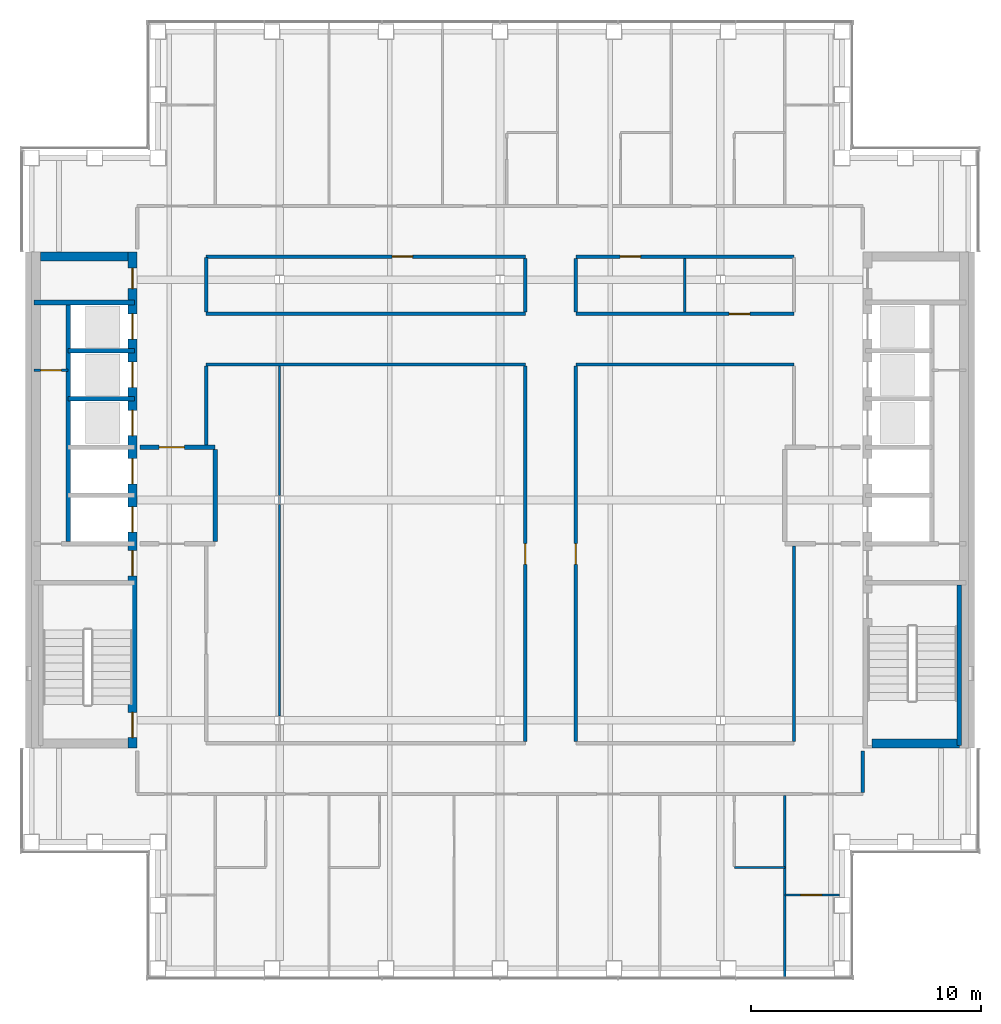
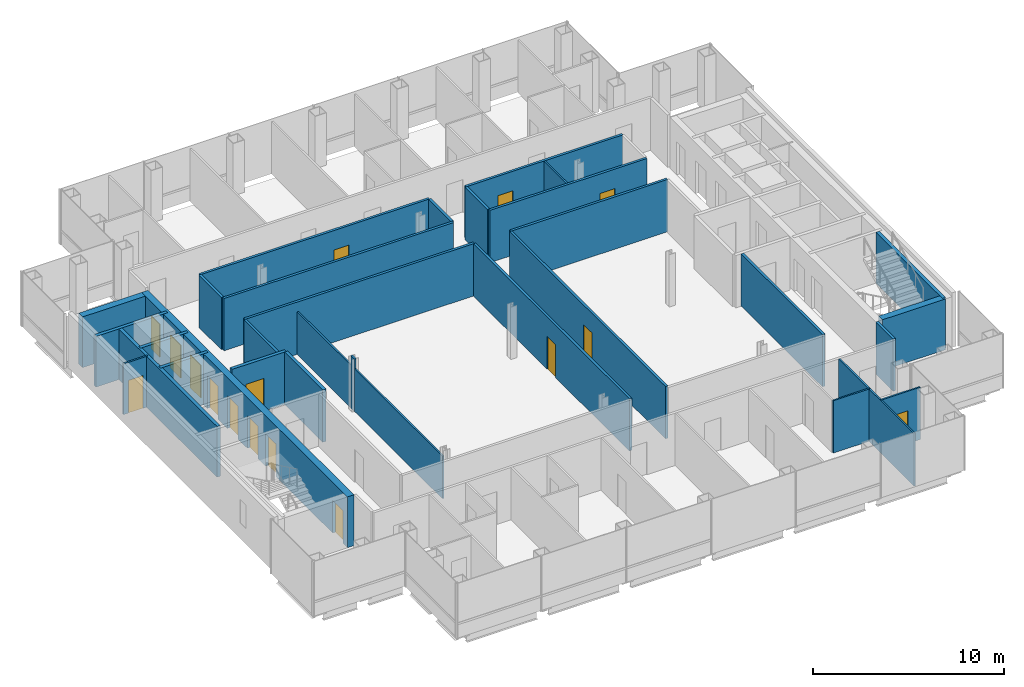
# One storey, part 11 of 15: 32 walls, 16 doors, 16 openings.
"""IFC4 building model written with IfcOpenShell, lengths in metres."""

from ifc_helpers import new_model, si_unit, direction, frame, frame_2d, origin, place, context, subcontext, project, spatial, rectangle, extrude, material, layer, layer_set, type_object, element, fill, save


model = new_model("IFC4")

# Units and contexts
model_context = context("Model", 3, precision=1e-05, world=origin(), true_north=direction((0.0, 1.0)))
body_context = subcontext(model_context, "Body", "Model", "MODEL_VIEW")
ifc_project = project(units=[si_unit("LENGTHUNIT", "METRE"), si_unit("AREAUNIT", "SQUARE_METRE"), si_unit("VOLUMEUNIT", "CUBIC_METRE"), si_unit("PLANEANGLEUNIT", "RADIAN"), si_unit("MASSUNIT", "GRAM", prefix="KILO")], contexts=[model_context])

# Site, building, storey
site_placement = place(None, origin())
site = spatial("IfcSite", under=ifc_project, at=site_placement, CompositionType="ELEMENT")
building_placement = place(site_placement, origin())
building = spatial("IfcBuilding", under=site, at=building_placement, Name="Cobrizo Arcos Hotel Tower", CompositionType="ELEMENT")
storey_placement = place(building_placement, frame((0.0, 0.0, 215.5)))
storey = spatial("IfcBuildingStorey", under=building, at=storey_placement, Name="L56", CompositionType="ELEMENT", Elevation=215.5)

# Walls
ifc_material_1 = material(Name="Gypsum board partition")
ifc_layer_1 = layer(ifc_material_1, 0.14990234375)
ifc_layer_set_1 = layer_set([ifc_layer_1], Name="Corridor wall EI 60 150")
wall_type_1 = type_object("IfcWallType", Name="Corridor wall EI 60 150", PredefinedType="PARTITIONING", material=ifc_layer_set_1)
wall_1_placement = place(storey_placement, frame((-12.800048828125, 5.89990234375, 0.0), z_axis=(0.0, 0.0, 1.0), x_axis=(1.0, 0.0, 0.0)))
element("IfcWall", 1, at=wall_1_placement, inside=storey, type_object=wall_type_1, Name="Partition 025", PredefinedType="PARTITIONING", context=body_context, shape_type="SweptSolid", body=[
    extrude(rectangle(XDim=13.900146484375, YDim=0.14990234375, at=frame_2d((6.9501953125, 0.0))), origin(), (0.0, 0.0, 1.0), 3.35009765625),
])
wall_2_placement = place(storey_placement, frame((3.300048828125, 5.89990234375, 0.0), z_axis=(0.0, 0.0, 1.0), x_axis=(1.0, 0.0, 0.0)))
element("IfcWall", 2, at=wall_2_placement, inside=storey, type_object=wall_type_1, Name="Partition 026", PredefinedType="PARTITIONING", context=body_context, shape_type="SweptSolid", body=[
    extrude(rectangle(XDim=9.5, YDim=0.14990234375, at=frame_2d((4.75, 0.0))), origin(), (0.0, 0.0, 1.0), 3.35009765625),
])
wall_3_placement = place(storey_placement, frame((-12.800048828125, 8.10009765625, 0.0), z_axis=(0.0, 0.0, 1.0), x_axis=(1.0, 0.0, 0.0)))
element("IfcWall", 3, at=wall_3_placement, inside=storey, type_object=wall_type_1, Name="Partition 029", PredefinedType="PARTITIONING", context=body_context, shape_type="SweptSolid", body=[
    extrude(rectangle(XDim=13.900146484375, YDim=0.14990234375, at=frame_2d((6.9501953125, 0.0))), origin(), (0.0, 0.0, 1.0), 3.35009765625),
])

# Wall, opening, door
wall_4_placement = place(storey_placement, frame((3.300048828125, 8.10009765625, 0.0), z_axis=(0.0, 0.0, 1.0), x_axis=(1.0, 0.0, 0.0)))
wall_4 = element("IfcWall", 4, at=wall_4_placement, inside=storey, type_object=wall_type_1, Name="Partition 030", PredefinedType="PARTITIONING", context=body_context, shape_type="SweptSolid", body=[
    extrude(rectangle(XDim=9.5, YDim=0.14990234375, at=frame_2d((4.75, 0.0))), origin(), (0.0, 0.0, 1.0), 3.35009765625),
])
opening_1_placement = place(wall_4_placement, frame((6.675048828125, 0.0, 0.0)))
opening_1 = element("IfcOpeningElement", 5, at=opening_1_placement, cuts=wall_4, Name="Opening ED-13", PredefinedType="OPENING", context=body_context, shape_type="SweptSolid", body=[
    extrude(rectangle(XDim=0.89990234375, YDim=2.10009765625, at=frame_2d((0.449951171875, 1.050048828125))), frame((0.0, 0.0869140625, 0.0), z_axis=(0.0, -1.0, 0.0), x_axis=(1.0, 0.0, 0.0)), (0.0, 0.0, 1.0), 0.173828125),
])
ifc_material_2 = material(Name="Timber door leaf", Category="wood")
door_type_1 = type_object("IfcDoorType", Name="En-suite door 900x2100", OperationType="SINGLE_SWING_LEFT", PredefinedType="DOOR", material=ifc_material_2)
door_1_placement = place(opening_1_placement, origin())
door_1 = element("IfcDoor", 6, at=door_1_placement, inside=storey, type_object=door_type_1, Name="Door ED-13", OperationType="SINGLE_SWING_LEFT", OverallHeight=2.10009765625, OverallWidth=0.89990234375, PredefinedType="DOOR", context=body_context, shape_type="SweptSolid", body=[
    extrude(rectangle(XDim=0.89990234375, YDim=2.10009765625, at=frame_2d((0.449951171875, 1.050048828125))), frame((0.0, 0.02490234375, 0.0), z_axis=(0.0, -1.0, 0.0), x_axis=(1.0, 0.0, 0.0)), (0.0, 0.0, 1.0), 0.050048828125),
])
fill(opening_1, door_1)

wall_5_placement = place(storey_placement, frame((-12.800048828125, 10.60009765625, 0.0), z_axis=(0.0, 0.0, 1.0), x_axis=(1.0, 0.0, 0.0)))
wall_5 = element("IfcWall", 7, at=wall_5_placement, inside=storey, type_object=wall_type_1, Name="Partition 033", PredefinedType="PARTITIONING", context=body_context, shape_type="SweptSolid", body=[
    extrude(rectangle(XDim=13.900146484375, YDim=0.14990234375, at=frame_2d((6.9501953125, 0.0))), origin(), (0.0, 0.0, 1.0), 3.35009765625),
])
opening_2_placement = place(wall_5_placement, frame((8.10009765625, 0.0, 0.0)))
opening_2 = element("IfcOpeningElement", 8, at=opening_2_placement, cuts=wall_5, Name="Opening RD-10", PredefinedType="OPENING", context=body_context, shape_type="SweptSolid", body=[
    extrude(rectangle(XDim=0.89990234375, YDim=2.10009765625, at=frame_2d((0.449951171875, 1.050048828125))), frame((0.0, 0.0869140625, 0.0), z_axis=(0.0, -1.0, 0.0), x_axis=(1.0, 0.0, 0.0)), (0.0, 0.0, 1.0), 0.173828125),
])
door_type_2 = type_object("IfcDoorType", Name="Room door FD30 900x2100", OperationType="SINGLE_SWING_LEFT", PredefinedType="DOOR", material=ifc_material_2)
door_2_placement = place(opening_2_placement, origin())
door_2 = element("IfcDoor", 9, at=door_2_placement, inside=storey, type_object=door_type_2, Name="Door RD-10", OperationType="SINGLE_SWING_RIGHT", OverallHeight=2.10009765625, OverallWidth=0.89990234375, PredefinedType="DOOR", context=body_context, shape_type="SweptSolid", body=[
    extrude(rectangle(XDim=0.89990234375, YDim=2.10009765625, at=frame_2d((0.449951171875, 1.050048828125))), frame((0.0, 0.02490234375, 0.0), z_axis=(0.0, -1.0, 0.0), x_axis=(1.0, 0.0, 0.0)), (0.0, 0.0, 1.0), 0.050048828125),
])
fill(opening_2, door_2)

wall_6_placement = place(storey_placement, frame((3.300048828125, 10.60009765625, 0.0), z_axis=(0.0, 0.0, 1.0), x_axis=(1.0, 0.0, 0.0)))
wall_6 = element("IfcWall", 10, at=wall_6_placement, inside=storey, type_object=wall_type_1, Name="Partition 034", PredefinedType="PARTITIONING", context=body_context, shape_type="SweptSolid", body=[
    extrude(rectangle(XDim=9.5, YDim=0.14990234375, at=frame_2d((4.75, 0.0))), origin(), (0.0, 0.0, 1.0), 3.35009765625),
])
opening_3_placement = place(wall_6_placement, frame((1.925048828125, 0.0, 0.0)))
opening_3 = element("IfcOpeningElement", 11, at=opening_3_placement, cuts=wall_6, Name="Opening ED-12", PredefinedType="OPENING", context=body_context, shape_type="SweptSolid", body=[
    extrude(rectangle(XDim=0.89990234375, YDim=2.10009765625, at=frame_2d((0.449951171875, 1.050048828125))), frame((0.0, 0.0869140625, 0.0), z_axis=(0.0, -1.0, 0.0), x_axis=(1.0, 0.0, 0.0)), (0.0, 0.0, 1.0), 0.173828125),
])
door_3_placement = place(opening_3_placement, origin())
door_3 = element("IfcDoor", 12, at=door_3_placement, inside=storey, type_object=door_type_1, Name="Door ED-12", OperationType="SINGLE_SWING_RIGHT", OverallHeight=2.10009765625, OverallWidth=0.89990234375, PredefinedType="DOOR", context=body_context, shape_type="SweptSolid", body=[
    extrude(rectangle(XDim=0.89990234375, YDim=2.10009765625, at=frame_2d((0.449951171875, 1.050048828125))), frame((0.0, 0.02490234375, 0.0), z_axis=(0.0, -1.0, 0.0), x_axis=(1.0, 0.0, 0.0)), (0.0, 0.0, 1.0), 0.050048828125),
])
fill(opening_3, door_3)

# Walls
wall_7_placement = place(storey_placement, frame((-12.800048828125, 2.39990234375, 0.0), z_axis=(0.0, 0.0, 1.0), x_axis=(0.0, 1.0, 0.0)))
element("IfcWall", 13, at=wall_7_placement, inside=storey, type_object=wall_type_1, Name="Partition 046", PredefinedType="PARTITIONING", context=body_context, shape_type="SweptSolid", body=[
    extrude(rectangle(XDim=3.425048828125, YDim=0.14990234375, at=frame_2d((1.71240234375, 0.0))), origin(), (0.0, 0.0, 1.0), 3.35009765625),
])
wall_8_placement = place(storey_placement, frame((-12.800048828125, 8.175048828125, 0.0), z_axis=(0.0, 0.0, 1.0), x_axis=(0.0, 1.0, 0.0)))
element("IfcWall", 14, at=wall_8_placement, inside=storey, type_object=wall_type_1, Name="Partition 047", PredefinedType="PARTITIONING", context=body_context, shape_type="SweptSolid", body=[
    extrude(rectangle(XDim=2.375, YDim=0.14990234375, at=frame_2d((1.1875, 0.0))), origin(), (0.0, 0.0, 1.0), 3.35009765625),
])

# Wall, opening, door
wall_9_placement = place(storey_placement, frame((1.10009765625, -10.52490234375, 0.0), z_axis=(0.0, 0.0, 1.0), x_axis=(0.0, 1.0, 0.0)))
wall_9 = element("IfcWall", 15, at=wall_9_placement, inside=storey, type_object=wall_type_1, Name="Partition 063", PredefinedType="PARTITIONING", context=body_context, shape_type="SweptSolid", body=[
    extrude(rectangle(XDim=16.349853515625, YDim=0.14990234375, at=frame_2d((8.1748046875, 0.0))), origin(), (0.0, 0.0, 1.0), 3.35009765625),
])
opening_4_placement = place(wall_9_placement, frame((7.72509765625, 0.0, 0.0)))
opening_4 = element("IfcOpeningElement", 16, at=opening_4_placement, cuts=wall_9, Name="Opening RD-13", PredefinedType="OPENING", context=body_context, shape_type="SweptSolid", body=[
    extrude(rectangle(XDim=0.89990234375, YDim=2.10009765625, at=frame_2d((0.449951171875, 1.050048828125))), frame((0.0, 0.0869140625, 0.0), z_axis=(0.0, -1.0, 0.0), x_axis=(1.0, 0.0, 0.0)), (0.0, 0.0, 1.0), 0.173828125),
])
door_4_placement = place(opening_4_placement, origin())
door_4 = element("IfcDoor", 17, at=door_4_placement, inside=storey, type_object=door_type_2, Name="Door RD-13", OperationType="SINGLE_SWING_RIGHT", OverallHeight=2.10009765625, OverallWidth=0.89990234375, PredefinedType="DOOR", context=body_context, shape_type="SweptSolid", body=[
    extrude(rectangle(XDim=0.89990234375, YDim=2.10009765625, at=frame_2d((0.449951171875, 1.050048828125))), frame((0.0, 0.02490234375, 0.0), z_axis=(0.0, -1.0, 0.0), x_axis=(1.0, 0.0, 0.0)), (0.0, 0.0, 1.0), 0.050048828125),
])
fill(opening_4, door_4)

# Wall
wall_10_placement = place(storey_placement, frame((1.10009765625, 8.175048828125, 0.0), z_axis=(0.0, 0.0, 1.0), x_axis=(0.0, 1.0, 0.0)))
element("IfcWall", 18, at=wall_10_placement, inside=storey, type_object=wall_type_1, Name="Partition 064", PredefinedType="PARTITIONING", context=body_context, shape_type="SweptSolid", body=[
    extrude(rectangle(XDim=2.349853515625, YDim=0.14990234375, at=frame_2d((1.1748046875, 0.0))), origin(), (0.0, 0.0, 1.0), 3.35009765625),
])

# Wall, opening, door
wall_11_placement = place(storey_placement, frame((3.300048828125, -10.52490234375, 0.0), z_axis=(0.0, 0.0, 1.0), x_axis=(0.0, 1.0, 0.0)))
wall_11 = element("IfcWall", 19, at=wall_11_placement, inside=storey, type_object=wall_type_1, Name="Partition 067", PredefinedType="PARTITIONING", context=body_context, shape_type="SweptSolid", body=[
    extrude(rectangle(XDim=16.349853515625, YDim=0.14990234375, at=frame_2d((8.1748046875, 0.0))), origin(), (0.0, 0.0, 1.0), 3.35009765625),
])
opening_5_placement = place(wall_11_placement, frame((7.72509765625, 0.0, 0.0)))
opening_5 = element("IfcOpeningElement", 20, at=opening_5_placement, cuts=wall_11, Name="Opening RD-12", PredefinedType="OPENING", context=body_context, shape_type="SweptSolid", body=[
    extrude(rectangle(XDim=0.89990234375, YDim=2.10009765625, at=frame_2d((0.449951171875, 1.050048828125))), frame((0.0, 0.0869140625, 0.0), z_axis=(0.0, -1.0, 0.0), x_axis=(1.0, 0.0, 0.0)), (0.0, 0.0, 1.0), 0.173828125),
])
door_5_placement = place(opening_5_placement, origin())
door_5 = element("IfcDoor", 21, at=door_5_placement, inside=storey, type_object=door_type_2, Name="Door RD-12", OperationType="SINGLE_SWING_RIGHT", OverallHeight=2.10009765625, OverallWidth=0.89990234375, PredefinedType="DOOR", context=body_context, shape_type="SweptSolid", body=[
    extrude(rectangle(XDim=0.89990234375, YDim=2.10009765625, at=frame_2d((0.449951171875, 1.050048828125))), frame((0.0, 0.02490234375, 0.0), z_axis=(0.0, -1.0, 0.0), x_axis=(1.0, 0.0, 0.0)), (0.0, 0.0, 1.0), 0.050048828125),
])
fill(opening_5, door_5)

# Walls
wall_12_placement = place(storey_placement, frame((3.300048828125, 8.175048828125, 0.0), z_axis=(0.0, 0.0, 1.0), x_axis=(0.0, 1.0, 0.0)))
element("IfcWall", 22, at=wall_12_placement, inside=storey, type_object=wall_type_1, Name="Partition 068", PredefinedType="PARTITIONING", context=body_context, shape_type="SweptSolid", body=[
    extrude(rectangle(XDim=2.349853515625, YDim=0.14990234375, at=frame_2d((1.1748046875, 0.0))), origin(), (0.0, 0.0, 1.0), 3.35009765625),
])
wall_13_placement = place(storey_placement, frame((12.800048828125, -10.52490234375, 0.0), z_axis=(0.0, 0.0, 1.0), x_axis=(0.0, 1.0, 0.0)))
element("IfcWall", 23, at=wall_13_placement, inside=storey, type_object=wall_type_1, Name="Partition 078", PredefinedType="PARTITIONING", context=body_context, shape_type="SweptSolid", body=[
    extrude(rectangle(XDim=8.52490234375, YDim=0.14990234375, at=frame_2d((4.262451171875, 0.0))), origin(), (0.0, 0.0, 1.0), 3.35009765625),
])
wall_14_placement = place(storey_placement, frame((15.800048828125, -12.72509765625, 0.0), z_axis=(0.0, 0.0, 1.0), x_axis=(0.0, 1.0, 0.0)))
element("IfcWall", 24, at=wall_14_placement, inside=storey, type_object=wall_type_1, Name="Partition 081", PredefinedType="PARTITIONING", context=body_context, shape_type="SweptSolid", body=[
    extrude(rectangle(XDim=1.80517578125, YDim=0.14990234375, at=frame_2d((0.902587890625, 0.0))), origin(), (0.0, 0.0, 1.0), 3.35009765625),
])

# Wall, opening, door
ifc_layer_2 = layer(ifc_material_1, 0.10009765625)
ifc_layer_set_2 = layer_set([ifc_layer_2], Name="Partition EI 30 100")
wall_type_2 = type_object("IfcWallType", Name="Partition EI 30 100", PredefinedType="PARTITIONING", material=ifc_layer_set_2)
wall_15_placement = place(storey_placement, frame((12.39990234375, -17.199951171875, 0.0), z_axis=(0.0, 0.0, 1.0), x_axis=(1.0, 0.0, 0.0)))
wall_15 = element("IfcWall", 25, at=wall_15_placement, inside=storey, type_object=wall_type_2, Name="Partition 002", PredefinedType="PARTITIONING", context=body_context, shape_type="SweptSolid", body=[
    extrude(rectangle(XDim=2.380126953125, YDim=0.10009765625, at=frame_2d((1.18994140625, 0.0))), origin(), (0.0, 0.0, 1.0), 3.35009765625),
])
opening_6_placement = place(wall_15_placement, frame((0.705078125, 0.0, 0.0)))
opening_6 = element("IfcOpeningElement", 26, at=opening_6_placement, cuts=wall_15, Name="Opening ED-10", PredefinedType="OPENING", context=body_context, shape_type="SweptSolid", body=[
    extrude(rectangle(XDim=0.89990234375, YDim=2.10009765625, at=frame_2d((0.449951171875, 1.050048828125))), frame((0.0, 0.06201171875, 0.0), z_axis=(0.0, -1.0, 0.0), x_axis=(1.0, 0.0, 0.0)), (0.0, 0.0, 1.0), 0.1240234375),
])
door_6_placement = place(opening_6_placement, origin())
door_6 = element("IfcDoor", 27, at=door_6_placement, inside=storey, type_object=door_type_1, Name="Door ED-10", OperationType="SINGLE_SWING_LEFT", OverallHeight=2.10009765625, OverallWidth=0.89990234375, PredefinedType="DOOR", context=body_context, shape_type="SweptSolid", body=[
    extrude(rectangle(XDim=0.89990234375, YDim=2.10009765625, at=frame_2d((0.449951171875, 1.050048828125))), frame((0.0, 0.02490234375, 0.0), z_axis=(0.0, -1.0, 0.0), x_axis=(1.0, 0.0, 0.0)), (0.0, 0.0, 1.0), 0.050048828125),
])
fill(opening_6, door_6)

# Wall
wall_16_placement = place(storey_placement, frame((10.199951171875, -16.0, 0.0), z_axis=(0.0, 0.0, 1.0), x_axis=(1.0, 0.0, 0.0)))
element("IfcWall", 28, at=wall_16_placement, inside=storey, type_object=wall_type_2, Name="Partition 005", PredefinedType="PARTITIONING", context=body_context, shape_type="SweptSolid", body=[
    extrude(rectangle(XDim=2.199951171875, YDim=0.10009765625, at=frame_2d((1.10009765625, 0.0))), origin(), (0.0, 0.0, 1.0), 3.35009765625),
])

# Wall, opening, door
wall_17_placement = place(storey_placement, frame((-20.280029296875, 5.64990234375, 0.0), z_axis=(0.0, 0.0, 1.0), x_axis=(1.0, 0.0, 0.0)))
wall_17 = element("IfcWall", 29, at=wall_17_placement, inside=storey, type_object=wall_type_2, Name="Partition 023", PredefinedType="PARTITIONING", context=body_context, shape_type="SweptSolid", body=[
    extrude(rectangle(XDim=1.47998046875, YDim=0.10009765625, at=frame_2d((0.739990234375, 0.0))), origin(), (0.0, 0.0, 1.0), 3.25),
])
opening_7_placement = place(wall_17_placement, frame((0.280029296875, 0.0, 0.0)))
opening_7 = element("IfcOpeningElement", 30, at=opening_7_placement, cuts=wall_17, Name="Opening RD-03", PredefinedType="OPENING", context=body_context, shape_type="SweptSolid", body=[
    extrude(rectangle(XDim=0.89990234375, YDim=2.10009765625, at=frame_2d((0.449951171875, 1.050048828125))), frame((0.0, 0.06201171875, 0.0), z_axis=(0.0, -1.0, 0.0), x_axis=(1.0, 0.0, 0.0)), (0.0, 0.0, 1.0), 0.1240234375),
])
door_7_placement = place(opening_7_placement, origin())
door_7 = element("IfcDoor", 31, at=door_7_placement, inside=storey, type_object=door_type_2, Name="Door RD-03", OperationType="SINGLE_SWING_LEFT", OverallHeight=2.10009765625, OverallWidth=0.89990234375, PredefinedType="DOOR", context=body_context, shape_type="SweptSolid", body=[
    extrude(rectangle(XDim=0.89990234375, YDim=2.10009765625, at=frame_2d((0.449951171875, 1.050048828125))), frame((0.0, 0.02490234375, 0.0), z_axis=(0.0, -1.0, 0.0), x_axis=(1.0, 0.0, 0.0)), (0.0, 0.0, 1.0), 0.050048828125),
])
fill(opening_7, door_7)

# Walls
wall_18_placement = place(storey_placement, frame((-9.60009765625, -9.4130859375, 0.0), z_axis=(0.0, 0.0, 1.0), x_axis=(0.0, 1.0, 0.0)))
element("IfcWall", 32, at=wall_18_placement, inside=storey, type_object=wall_type_2, Name="Partition 054", PredefinedType="PARTITIONING", context=body_context, shape_type="SweptSolid", body=[
    extrude(rectangle(XDim=9.22607421875, YDim=0.10009765625, at=frame_2d((4.613037109375, 0.0))), origin(), (0.0, 0.0, 1.0), 2.72802734375),
])
wall_19_placement = place(storey_placement, frame((-9.60009765625, -0.18701171875, 0.0), z_axis=(0.0, 0.0, 1.0), x_axis=(0.0, 1.0, 0.0)))
element("IfcWall", 33, at=wall_19_placement, inside=storey, type_object=wall_type_2, Name="Partition 055", PredefinedType="PARTITIONING", context=body_context, shape_type="SweptSolid", body=[
    extrude(rectangle(XDim=0.3740234375, YDim=0.10009765625, at=frame_2d((0.18701171875, 0.0))), origin(), (0.0, 0.0, 1.0), 3.35009765625),
])
wall_20_placement = place(storey_placement, frame((-9.60009765625, 0.18701171875, 0.0), z_axis=(0.0, 0.0, 1.0), x_axis=(0.0, 1.0, 0.0)))
element("IfcWall", 34, at=wall_20_placement, inside=storey, type_object=wall_type_2, Name="Partition 056", PredefinedType="PARTITIONING", context=body_context, shape_type="SweptSolid", body=[
    extrude(rectangle(XDim=5.637939453125, YDim=0.10009765625, at=frame_2d((2.81884765625, 0.0))), origin(), (0.0, 0.0, 1.0), 2.72802734375),
])
wall_21_placement = place(storey_placement, frame((8.050048828125, 8.175048828125, 0.0), z_axis=(0.0, 0.0, 1.0), x_axis=(0.0, 1.0, 0.0)))
element("IfcWall", 35, at=wall_21_placement, inside=storey, type_object=wall_type_2, Name="Partition 072", PredefinedType="PARTITIONING", context=body_context, shape_type="SweptSolid", body=[
    extrude(rectangle(XDim=2.349853515625, YDim=0.10009765625, at=frame_2d((1.1748046875, 0.0))), origin(), (0.0, 0.0, 1.0), 3.35009765625),
])
wall_22_placement = place(storey_placement, frame((12.39990234375, -20.780029296875, 0.0), z_axis=(0.0, 0.0, 1.0), x_axis=(0.0, 1.0, 0.0)))
element("IfcWall", 36, at=wall_22_placement, inside=storey, type_object=wall_type_2, Name="Partition 075", PredefinedType="PARTITIONING", context=body_context, shape_type="SweptSolid", body=[
    extrude(rectangle(XDim=7.905029296875, YDim=0.10009765625, at=frame_2d((3.95263671875, 0.0))), origin(), (0.0, 0.0, 1.0), 3.35009765625),
])
ifc_material_3 = material(Name="Concrete f'c 40 MPa", Category="concrete")
ifc_layer_3 = layer(ifc_material_3, 0.39990234375)
ifc_layer_set_3 = layer_set([ifc_layer_3], Name="RC core wall 400 f'c 40")
wall_type_3 = type_object("IfcWallType", Name="RC core wall 400 f'c 40", PredefinedType="SHEAR", material=ifc_layer_set_3)
wall_23_placement = place(storey_placement, frame((16.199951171875, -10.60009765625, 0.0), z_axis=(0.0, 0.0, 1.0), x_axis=(1.0, 0.0, 0.0)))
element("IfcWall", 37, at=wall_23_placement, inside=storey, type_object=wall_type_3, Name="Core wall CW4, east core, south end, L56", PredefinedType="SHEAR", context=body_context, shape_type="SweptSolid", body=[
    extrude(rectangle(XDim=3.800048828125, YDim=0.39990234375, at=frame_2d((1.89990234375, 0.0))), origin(), (0.0, 0.0, 1.0), 3.25),
])

# Wall, openings, doors
wall_24_placement = place(storey_placement, frame((-16.0, -10.800048828125, 0.0), z_axis=(0.0, 0.0, 1.0), x_axis=(0.0, 1.0, 0.0)))
wall_24 = element("IfcWall", 38, at=wall_24_placement, inside=storey, type_object=wall_type_3, Name="Core wall CW4, west core, inner face, L56", PredefinedType="SHEAR", context=body_context, shape_type="SweptSolid", body=[
    extrude(rectangle(XDim=21.60009765625, YDim=0.39990234375, at=frame_2d((10.800048828125, 0.0))), origin(), (0.0, 0.0, 1.0), 3.25),
])
opening_8_placement = place(wall_24_placement, frame((9.39990234375, 0.0, 0.0)))
opening_8 = element("IfcOpeningElement", 39, at=opening_8_placement, cuts=wall_24, Name="Opening LD-01", PredefinedType="OPENING", context=body_context, shape_type="SweptSolid", body=[
    extrude(rectangle(XDim=1.10009765625, YDim=2.10009765625, at=frame_2d((0.550048828125, 1.050048828125))), frame((0.0, 0.2119140625, 0.0), z_axis=(0.0, -1.0, 0.0), x_axis=(1.0, 0.0, 0.0)), (0.0, 0.0, 1.0), 0.423828125),
])
opening_9_placement = place(wall_24_placement, frame((11.5, 0.0, 0.0)))
opening_9 = element("IfcOpeningElement", 40, at=opening_9_placement, cuts=wall_24, Name="Opening LD-02", PredefinedType="OPENING", context=body_context, shape_type="SweptSolid", body=[
    extrude(rectangle(XDim=1.10009765625, YDim=2.10009765625, at=frame_2d((0.550048828125, 1.050048828125))), frame((0.0, 0.2119140625, 0.0), z_axis=(0.0, -1.0, 0.0), x_axis=(1.0, 0.0, 0.0)), (0.0, 0.0, 1.0), 0.423828125),
])
opening_10_placement = place(wall_24_placement, frame((13.60009765625, 0.0, 0.0)))
opening_10 = element("IfcOpeningElement", 41, at=opening_10_placement, cuts=wall_24, Name="Opening LD-03", PredefinedType="OPENING", context=body_context, shape_type="SweptSolid", body=[
    extrude(rectangle(XDim=1.10009765625, YDim=2.10009765625, at=frame_2d((0.550048828125, 1.050048828125))), frame((0.0, 0.2119140625, 0.0), z_axis=(0.0, -1.0, 0.0), x_axis=(1.0, 0.0, 0.0)), (0.0, 0.0, 1.0), 0.423828125),
])
opening_11_placement = place(wall_24_placement, frame((15.699951171875, 0.0, 0.0)))
opening_11 = element("IfcOpeningElement", 42, at=opening_11_placement, cuts=wall_24, Name="Opening LD-04", PredefinedType="OPENING", context=body_context, shape_type="SweptSolid", body=[
    extrude(rectangle(XDim=1.10009765625, YDim=2.10009765625, at=frame_2d((0.550048828125, 1.050048828125))), frame((0.0, 0.2119140625, 0.0), z_axis=(0.0, -1.0, 0.0), x_axis=(1.0, 0.0, 0.0)), (0.0, 0.0, 1.0), 0.423828125),
])
opening_12_placement = place(wall_24_placement, frame((17.800048828125, 0.0, 0.0)))
opening_12 = element("IfcOpeningElement", 43, at=opening_12_placement, cuts=wall_24, Name="Opening LD-05", PredefinedType="OPENING", context=body_context, shape_type="SweptSolid", body=[
    extrude(rectangle(XDim=1.10009765625, YDim=2.10009765625, at=frame_2d((0.550048828125, 1.050048828125))), frame((0.0, 0.2119140625, 0.0), z_axis=(0.0, -1.0, 0.0), x_axis=(1.0, 0.0, 0.0)), (0.0, 0.0, 1.0), 0.423828125),
])
opening_13_placement = place(wall_24_placement, frame((0.4580078125, 0.0, 0.0)))
opening_13 = element("IfcOpeningElement", 44, at=opening_13_placement, cuts=wall_24, Name="Opening SD-01", PredefinedType="OPENING", context=body_context, shape_type="SweptSolid", body=[
    extrude(rectangle(XDim=1.10009765625, YDim=2.10009765625, at=frame_2d((0.550048828125, 1.050048828125))), frame((0.0, 0.2119140625, 0.0), z_axis=(0.0, -1.0, 0.0), x_axis=(1.0, 0.0, 0.0)), (0.0, 0.0, 1.0), 0.423828125),
])
opening_14_placement = place(wall_24_placement, frame((7.5, 0.0, 0.0)))
opening_14 = element("IfcOpeningElement", 45, at=opening_14_placement, cuts=wall_24, Name="Opening FD-01", PredefinedType="OPENING", context=body_context, shape_type="SweptSolid", body=[
    extrude(rectangle(XDim=1.10009765625, YDim=2.10009765625, at=frame_2d((0.550048828125, 1.050048828125))), frame((0.0, 0.2119140625, 0.0), z_axis=(0.0, -1.0, 0.0), x_axis=(1.0, 0.0, 0.0)), (0.0, 0.0, 1.0), 0.423828125),
])
opening_15_placement = place(wall_24_placement, frame((20.0, 0.0, 0.0)))
opening_15 = element("IfcOpeningElement", 46, at=opening_15_placement, cuts=wall_24, Name="Opening RD-01", PredefinedType="OPENING", context=body_context, shape_type="SweptSolid", body=[
    extrude(rectangle(XDim=0.89990234375, YDim=2.10009765625, at=frame_2d((0.449951171875, 1.050048828125))), frame((0.0, 0.2119140625, 0.0), z_axis=(0.0, -1.0, 0.0), x_axis=(1.0, 0.0, 0.0)), (0.0, 0.0, 1.0), 0.423828125),
])
ifc_material_4 = material(Name="Steel door leaf", Category="steel")
door_type_3 = type_object("IfcDoorType", Name="Fire door FD60 1100x2100", OperationType="SINGLE_SWING_LEFT", PredefinedType="DOOR", material=ifc_material_4)
door_8_placement = place(opening_14_placement, origin())
door_8 = element("IfcDoor", 47, at=door_8_placement, inside=storey, type_object=door_type_3, Name="Door FD-01", OperationType="SINGLE_SWING_RIGHT", OverallHeight=2.10009765625, OverallWidth=1.10009765625, PredefinedType="DOOR", context=body_context, shape_type="SweptSolid", body=[
    extrude(rectangle(XDim=1.10009765625, YDim=2.10009765625, at=frame_2d((0.550048828125, 1.050048828125))), frame((0.0, 0.02490234375, 0.0), z_axis=(0.0, -1.0, 0.0), x_axis=(1.0, 0.0, 0.0)), (0.0, 0.0, 1.0), 0.050048828125),
])
fill(opening_14, door_8)
door_type_4 = type_object("IfcDoorType", Name="Lift landing door 1100x2100", OperationType="SLIDING_TO_LEFT", PredefinedType="DOOR", material=ifc_material_4)
door_9_placement = place(opening_8_placement, origin())
door_9 = element("IfcDoor", 48, at=door_9_placement, inside=storey, type_object=door_type_4, Name="Lift landing door LD-01", OperationType="SLIDING_TO_LEFT", OverallHeight=2.10009765625, OverallWidth=1.10009765625, PredefinedType="DOOR", context=body_context, shape_type="SweptSolid", body=[
    extrude(rectangle(XDim=1.10009765625, YDim=2.10009765625, at=frame_2d((0.550048828125, 1.050048828125))), frame((0.0, 0.02490234375, 0.0), z_axis=(0.0, -1.0, 0.0), x_axis=(1.0, 0.0, 0.0)), (0.0, 0.0, 1.0), 0.050048828125),
])
fill(opening_8, door_9)
door_10_placement = place(opening_9_placement, origin())
door_10 = element("IfcDoor", 49, at=door_10_placement, inside=storey, type_object=door_type_4, Name="Lift landing door LD-02", OperationType="SLIDING_TO_LEFT", OverallHeight=2.10009765625, OverallWidth=1.10009765625, PredefinedType="DOOR", context=body_context, shape_type="SweptSolid", body=[
    extrude(rectangle(XDim=1.10009765625, YDim=2.10009765625, at=frame_2d((0.550048828125, 1.050048828125))), frame((0.0, 0.02490234375, 0.0), z_axis=(0.0, -1.0, 0.0), x_axis=(1.0, 0.0, 0.0)), (0.0, 0.0, 1.0), 0.050048828125),
])
fill(opening_9, door_10)
door_11_placement = place(opening_10_placement, origin())
door_11 = element("IfcDoor", 50, at=door_11_placement, inside=storey, type_object=door_type_4, Name="Lift landing door LD-03", OperationType="SLIDING_TO_LEFT", OverallHeight=2.10009765625, OverallWidth=1.10009765625, PredefinedType="DOOR", context=body_context, shape_type="SweptSolid", body=[
    extrude(rectangle(XDim=1.10009765625, YDim=2.10009765625, at=frame_2d((0.550048828125, 1.050048828125))), frame((0.0, 0.02490234375, 0.0), z_axis=(0.0, -1.0, 0.0), x_axis=(1.0, 0.0, 0.0)), (0.0, 0.0, 1.0), 0.050048828125),
])
fill(opening_10, door_11)
door_12_placement = place(opening_11_placement, origin())
door_12 = element("IfcDoor", 51, at=door_12_placement, inside=storey, type_object=door_type_4, Name="Lift landing door LD-04", OperationType="SLIDING_TO_LEFT", OverallHeight=2.10009765625, OverallWidth=1.10009765625, PredefinedType="DOOR", context=body_context, shape_type="SweptSolid", body=[
    extrude(rectangle(XDim=1.10009765625, YDim=2.10009765625, at=frame_2d((0.550048828125, 1.050048828125))), frame((0.0, 0.02490234375, 0.0), z_axis=(0.0, -1.0, 0.0), x_axis=(1.0, 0.0, 0.0)), (0.0, 0.0, 1.0), 0.050048828125),
])
fill(opening_11, door_12)
door_13_placement = place(opening_12_placement, origin())
door_13 = element("IfcDoor", 52, at=door_13_placement, inside=storey, type_object=door_type_4, Name="Lift landing door LD-05", OperationType="SLIDING_TO_LEFT", OverallHeight=2.10009765625, OverallWidth=1.10009765625, PredefinedType="DOOR", context=body_context, shape_type="SweptSolid", body=[
    extrude(rectangle(XDim=1.10009765625, YDim=2.10009765625, at=frame_2d((0.550048828125, 1.050048828125))), frame((0.0, 0.02490234375, 0.0), z_axis=(0.0, -1.0, 0.0), x_axis=(1.0, 0.0, 0.0)), (0.0, 0.0, 1.0), 0.050048828125),
])
fill(opening_12, door_13)
door_14_placement = place(opening_15_placement, origin())
door_14 = element("IfcDoor", 53, at=door_14_placement, inside=storey, type_object=door_type_2, Name="Door RD-01", OperationType="SINGLE_SWING_LEFT", OverallHeight=2.10009765625, OverallWidth=0.89990234375, PredefinedType="DOOR", context=body_context, shape_type="SweptSolid", body=[
    extrude(rectangle(XDim=0.89990234375, YDim=2.10009765625, at=frame_2d((0.449951171875, 1.050048828125))), frame((0.0, 0.02490234375, 0.0), z_axis=(0.0, -1.0, 0.0), x_axis=(1.0, 0.0, 0.0)), (0.0, 0.0, 1.0), 0.050048828125),
])
fill(opening_15, door_14)
door_type_5 = type_object("IfcDoorType", Name="Stair door FD60S 1100x2100", OperationType="SINGLE_SWING_LEFT", PredefinedType="DOOR", material=ifc_material_4)
door_15_placement = place(opening_13_placement, origin())
door_15 = element("IfcDoor", 54, at=door_15_placement, inside=storey, type_object=door_type_5, Name="Door SD-01", OperationType="SINGLE_SWING_RIGHT", OverallHeight=2.10009765625, OverallWidth=1.10009765625, PredefinedType="DOOR", context=body_context, shape_type="SweptSolid", body=[
    extrude(rectangle(XDim=1.10009765625, YDim=2.10009765625, at=frame_2d((0.550048828125, 1.050048828125))), frame((0.0, 0.02490234375, 0.0), z_axis=(0.0, -1.0, 0.0), x_axis=(1.0, 0.0, 0.0)), (0.0, 0.0, 1.0), 0.050048828125),
])
fill(opening_13, door_15)

# Wall
wall_25_placement = place(storey_placement, frame((-20.0, 10.60009765625, 0.0), z_axis=(0.0, 0.0, 1.0), x_axis=(1.0, 0.0, 0.0)))
element("IfcWall", 55, at=wall_25_placement, inside=storey, type_object=wall_type_3, Name="Core wall CW4, west core, north end, L56", PredefinedType="SHEAR", context=body_context, shape_type="SweptSolid", body=[
    extrude(rectangle(XDim=3.800048828125, YDim=0.39990234375, at=frame_2d((1.89990234375, 0.0))), origin(), (0.0, 0.0, 1.0), 3.25),
])

# Wall, opening, door
ifc_layer_4 = layer(ifc_material_1, 0.199951171875)
ifc_layer_set_4 = layer_set([ifc_layer_4], Name="Shaft wall EI 120 200")
wall_type_4 = type_object("IfcWallType", Name="Shaft wall EI 120 200", PredefinedType="PARTITIONING", material=ifc_layer_set_4)
wall_26_placement = place(storey_placement, frame((-15.679931640625, 2.300048828125, 0.0), z_axis=(0.0, 0.0, 1.0), x_axis=(1.0, 0.0, 0.0)))
wall_26 = element("IfcWall", 56, at=wall_26_placement, inside=storey, type_object=wall_type_4, Name="Partition 018", PredefinedType="PARTITIONING", context=body_context, shape_type="SweptSolid", body=[
    extrude(rectangle(XDim=3.280029296875, YDim=0.199951171875, at=frame_2d((1.64013671875, 0.0))), origin(), (0.0, 0.0, 1.0), 3.35009765625),
])
opening_16_placement = place(wall_26_placement, frame((0.840087890625, 0.0, 0.0)))
opening_16 = element("IfcOpeningElement", 57, at=opening_16_placement, cuts=wall_26, Name="Opening FD-02", PredefinedType="OPENING", context=body_context, shape_type="SweptSolid", body=[
    extrude(rectangle(XDim=1.10009765625, YDim=2.10009765625, at=frame_2d((0.550048828125, 1.050048828125))), frame((0.0, 0.112060546875, 0.0), z_axis=(0.0, -1.0, 0.0), x_axis=(1.0, 0.0, 0.0)), (0.0, 0.0, 1.0), 0.223876953125),
])
door_16_placement = place(opening_16_placement, origin())
door_16 = element("IfcDoor", 58, at=door_16_placement, inside=storey, type_object=door_type_3, Name="Door FD-02", OperationType="SINGLE_SWING_LEFT", OverallHeight=2.10009765625, OverallWidth=1.10009765625, PredefinedType="DOOR", context=body_context, shape_type="SweptSolid", body=[
    extrude(rectangle(XDim=1.10009765625, YDim=2.10009765625, at=frame_2d((0.550048828125, 1.050048828125))), frame((0.0, 0.02490234375, 0.0), z_axis=(0.0, -1.0, 0.0), x_axis=(1.0, 0.0, 0.0)), (0.0, 0.0, 1.0), 0.050048828125),
])
fill(opening_16, door_16)

# Walls
for number, where, z_axis, x_axis, name in (
    (59, (-18.800048828125, 4.39990234375, 0.0), (0.0, 0.0, 1.0), (1.0, 0.0, 0.0), "Partition 021"),
    (60, (-18.800048828125, 6.5, 0.0), (0.0, 0.0, 1.0), (1.0, 0.0, 0.0), "Partition 027"),
):
    element("IfcWall", number, at=place(storey_placement, frame(where, z_axis=z_axis, x_axis=x_axis)), inside=storey, type_object=wall_type_4, Name=name, PredefinedType="PARTITIONING", context=body_context, shape_type="SweptSolid", body=[
        extrude(rectangle(XDim=2.880126953125, YDim=0.199951171875, at=frame_2d((1.43994140625, 0.0))), origin(), (0.0, 0.0, 1.0), 3.25),
    ])
wall_27_placement = place(storey_placement, frame((-20.280029296875, 8.60009765625, 0.0), z_axis=(0.0, 0.0, 1.0), x_axis=(1.0, 0.0, 0.0)))
element("IfcWall", 61, at=wall_27_placement, inside=storey, type_object=wall_type_4, Name="Partition 031", PredefinedType="PARTITIONING", context=body_context, shape_type="SweptSolid", body=[
    extrude(rectangle(XDim=4.360107421875, YDim=0.199951171875, at=frame_2d((2.18017578125, 0.0))), origin(), (0.0, 0.0, 1.0), 3.25),
])
wall_28_placement = place(storey_placement, frame((-18.800048828125, -1.800048828125, 0.0), z_axis=(0.0, 0.0, 1.0), x_axis=(0.0, 1.0, 0.0)))
element("IfcWall", 62, at=wall_28_placement, inside=storey, type_object=wall_type_4, Name="Partition 042", PredefinedType="PARTITIONING", context=body_context, shape_type="SweptSolid", body=[
    extrude(rectangle(XDim=10.300048828125, YDim=0.199951171875, at=frame_2d((5.14990234375, 0.0))), origin(), (0.0, 0.0, 1.0), 3.25),
])
wall_29_placement = place(storey_placement, frame((-12.39990234375, -1.800048828125, 0.0), z_axis=(0.0, 0.0, 1.0), x_axis=(0.0, 1.0, 0.0)))
element("IfcWall", 63, at=wall_29_placement, inside=storey, type_object=wall_type_4, Name="Partition 049", PredefinedType="PARTITIONING", context=body_context, shape_type="SweptSolid", body=[
    extrude(rectangle(XDim=4.0, YDim=0.199951171875, at=frame_2d((2.0, 0.0))), origin(), (0.0, 0.0, 1.0), 3.35009765625),
])
ifc_layer_5 = layer(ifc_material_3, 0.199951171875)
ifc_layer_set_5 = layer_set([ifc_layer_5], Name="Stair shaft wall 200")
wall_type_5 = type_object("IfcWallType", Name="Stair shaft wall 200", PredefinedType="SHEAR", material=ifc_layer_set_5)
wall_30_placement = place(storey_placement, frame((20.0, -10.679931640625, 0.0), z_axis=(0.0, 0.0, 1.0), x_axis=(0.0, 1.0, 0.0)))
element("IfcWall", 64, at=wall_30_placement, inside=storey, type_object=wall_type_5, Name="Stair shaft wall E", PredefinedType="SHEAR", context=body_context, shape_type="SweptSolid", body=[
    extrude(rectangle(XDim=6.97998046875, YDim=0.199951171875, at=frame_2d((3.489990234375, 0.0))), origin(), (0.0, 0.0, 1.0), 3.25),
])

save(model, "model.ifc")
